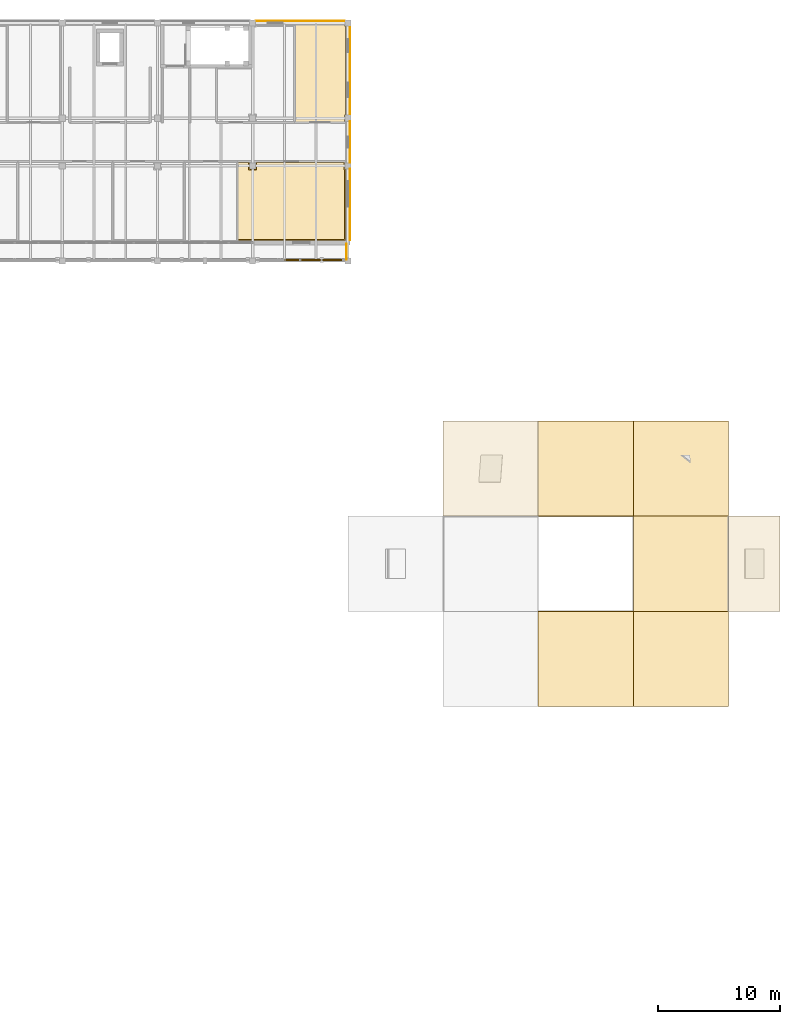
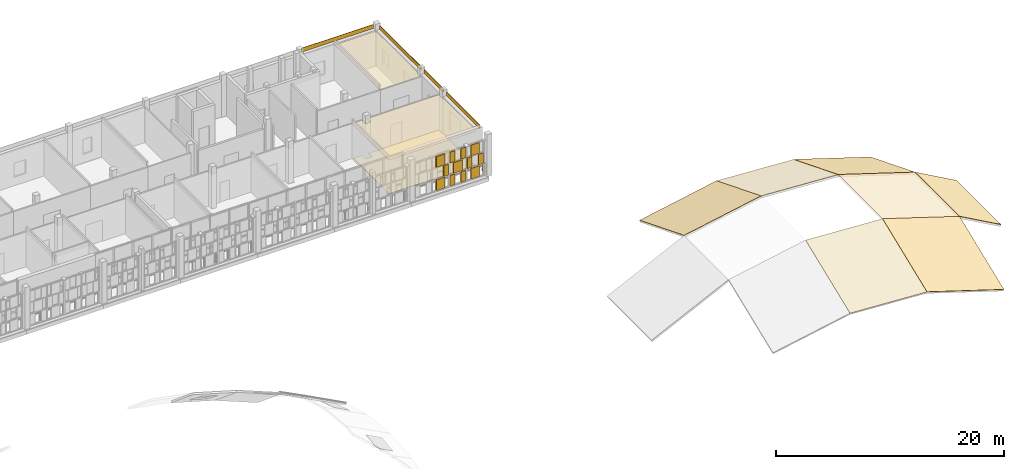
# One storey, part 89 of 89: 26 coverings, 1 railing.
"""IFC4 building model written with IfcOpenShell, lengths in metres."""

from ifc_helpers import new_model, si_unit, direction, frame, origin, origin_2d, place, context, subcontext, project, spatial, polyline, rectangle, circle, outline, extrude, material, layer, layer_set, type_object, element, save


model = new_model("IFC4")

# Units and contexts
model_context = context("Model", 3, precision=1e-05, world=origin(), true_north=direction((0.0, 1.0)))
body_context = subcontext(model_context, "Body", "Model", "MODEL_VIEW")
ifc_project = project(units=[si_unit("LENGTHUNIT", "METRE"), si_unit("AREAUNIT", "SQUARE_METRE"), si_unit("VOLUMEUNIT", "CUBIC_METRE"), si_unit("PLANEANGLEUNIT", "RADIAN"), si_unit("MASSUNIT", "GRAM", prefix="KILO")], contexts=[model_context])

# Site, building, storey
site_placement = place(None, origin())
site = spatial("IfcSite", under=ifc_project, at=site_placement, CompositionType="ELEMENT")
building_placement = place(site_placement, origin())
building = spatial("IfcBuilding", under=site, at=building_placement, Name="Celorna Specialist Clinic", CompositionType="ELEMENT")
storey_placement = place(building_placement, frame((0.0, 0.0, 14.10009765625)))
storey = spatial("IfcBuildingStorey", under=building, at=storey_placement, Name="L03", CompositionType="ELEMENT", Elevation=14.10009765625)

# Railing
ifc_material_1 = material(Name="Stainless steel and laminated glass balustrade", Category="steel")
railing_type = type_object("IfcRailingType", Name="BL-01", PredefinedType="BALUSTRADE", material=ifc_material_1)
railing_placement = place(storey_placement, frame((132.47998046875, 97.8798828125, 0.0)))
element("IfcRailing", 1, at=railing_placement, inside=storey, type_object=railing_type, Name="Neurology L03 Cloister Veranda perimeter balustrade 3", PredefinedType="BALUSTRADE", context=body_context, shape_type="SweptSolid", body=[
    extrude(circle(Radius=0.02392578125, at=origin_2d()), frame((0.0, 0.0, 1.09619140625), z_axis=(0.0, -1.0, 0.0), x_axis=(1.0, 0.0, 0.0)), (0.0, 0.0, 1.0), 1.259765625),
    extrude(circle(Radius=0.02099609375, at=origin_2d()), origin(), (0.0, 0.0, 1.0), 1.072021484375),
    extrude(circle(Radius=0.02099609375, at=origin_2d()), frame((0.0, -0.6298828125, 0.0)), (0.0, 0.0, 1.0), 1.072021484375),
    extrude(circle(Radius=0.02099609375, at=origin_2d()), frame((0.0, -1.259765625, 0.0)), (0.0, 0.0, 1.0), 1.072021484375),
])

# Coverings
ifc_material_2 = material(Name="Hygienic acoustic mineral-fibre ceiling")
ifc_layer_1 = layer(ifc_material_2, 0.030029296875, Name="Hygienic acoustic mineral-fibre ceiling")
ifc_layer_set_1 = layer_set([ifc_layer_1], Name="Hygienic acoustic mineral-fibre ceiling")
covering_type_1 = type_object("IfcCoveringType", Name="CE-01", PredefinedType="CEILING", material=ifc_layer_set_1)
covering_1_placement = place(storey_placement, frame((0.0, 0.0, 3.68994140625)))
element("IfcCovering", 2, at=covering_1_placement, inside=storey, type_object=covering_type_1, Name="Acoustic ceiling L03-026", PredefinedType="CEILING", context=body_context, shape_type="SweptSolid", body=[
    extrude(outline(polyline([(124.554931640625, 104.6650390625), (124.554931640625, 104.554931640625), (124.544921875, 104.554931640625), (124.544921875, 104.044921875), (125.054931640625, 104.044921875), (125.054931640625, 104.554931640625), (125.044921875, 104.554931640625), (125.044921875, 104.6650390625), (132.35498046875, 104.6650390625), (132.35498046875, 104.554931640625), (132.344970703125, 104.554931640625), (132.344970703125, 104.044921875), (132.425048828125, 104.044921875), (132.425048828125, 98.175048828125), (123.52490234375, 98.175048828125), (123.52490234375, 104.6650390625), (124.554931640625, 104.6650390625)])), origin(), (0.0, 0.0, 1.0), 0.030029296875),
])
covering_2_placement = place(storey_placement, frame((0.0, 0.0, 3.68994140625)))
element("IfcCovering", 3, at=covering_2_placement, inside=storey, type_object=covering_type_1, Name="Acoustic ceiling L03-037", PredefinedType="CEILING", context=body_context, shape_type="SweptSolid", body=[
    extrude(outline(polyline([(132.344970703125, 115.824951171875), (132.344970703125, 115.7451171875), (132.425048828125, 115.7451171875), (132.425048828125, 108.455078125), (132.344970703125, 108.455078125), (132.344970703125, 107.945068359375), (132.35498046875, 107.945068359375), (132.35498046875, 107.8349609375), (128.22509765625, 107.8349609375), (128.22509765625, 115.824951171875), (132.344970703125, 115.824951171875)])), origin(), (0.0, 0.0, 1.0), 0.030029296875),
])
ifc_material_3 = material(Name="Pero Pinheiro Lioz limestone rainscreen cladding", Category="masonry")
ifc_layer_2 = layer(ifc_material_3, 0.044921875, Name="Pero Pinheiro Lioz limestone rainscreen cladding")
ifc_layer_set_2 = layer_set([ifc_layer_2], Name="Pero Pinheiro Lioz limestone rainscreen cladding")
covering_type_2 = type_object("IfcCoveringType", Name="CL-01", PredefinedType="CLADDING", material=ifc_layer_set_2)
covering_3_placement = place(storey_placement, frame((128.699951171875, 116.16748046875, 3.83984375), z_axis=(0.0, 0.0, 1.0), x_axis=(1.0, 0.0, 0.0)))
element("IfcCovering", 4, at=covering_3_placement, inside=storey, type_object=covering_type_2, Name="Lioz spandrel cladding #267", PredefinedType="CLADDING", context=body_context, shape_type="SweptSolid", body=[
    extrude(rectangle(XDim=7.300048828125, YDim=0.044921875, at=origin_2d()), origin(), (0.0, 0.0, 1.0), 0.419921875),
])
covering_4_placement = place(storey_placement, frame((132.767578125, 101.1201171875, 3.83984375), z_axis=(0.0, 0.0, 1.0), x_axis=(0.0, -1.0, 0.0)))
element("IfcCovering", 5, at=covering_4_placement, inside=storey, type_object=covering_type_2, Name="Lioz spandrel cladding #271", PredefinedType="CLADDING", context=body_context, shape_type="SweptSolid", body=[
    extrude(rectangle(XDim=5.860107421875, YDim=0.044921875, at=origin_2d()), origin(), (0.0, 0.0, 1.0), 0.419921875),
])
covering_5_placement = place(storey_placement, frame((132.767578125, 106.25, 3.83984375), z_axis=(0.0, 0.0, 1.0), x_axis=(0.0, -1.0, 0.0)))
element("IfcCovering", 6, at=covering_5_placement, inside=storey, type_object=covering_type_2, Name="Lioz spandrel cladding #272", PredefinedType="CLADDING", context=body_context, shape_type="SweptSolid", body=[
    extrude(rectangle(XDim=3.39990234375, YDim=0.044921875, at=origin_2d()), origin(), (0.0, 0.0, 1.0), 0.419921875),
])
covering_6_placement = place(storey_placement, frame((132.767578125, 112.10009765625, 3.83984375), z_axis=(0.0, 0.0, 1.0), x_axis=(0.0, -1.0, 0.0)))
element("IfcCovering", 7, at=covering_6_placement, inside=storey, type_object=covering_type_2, Name="Lioz spandrel cladding #273", PredefinedType="CLADDING", context=body_context, shape_type="SweptSolid", body=[
    extrude(rectangle(XDim=7.300048828125, YDim=0.044921875, at=origin_2d()), origin(), (0.0, 0.0, 1.0), 0.419921875),
])
ifc_material_4 = material(Name="Perforated terracotta brick weave cladding", Category="masonry")
ifc_layer_3 = layer(ifc_material_4, 0.114990234375, Name="Perforated terracotta brick weave cladding")
ifc_layer_set_3 = layer_set([ifc_layer_3], Name="Perforated terracotta brick weave cladding")
covering_type_3 = type_object("IfcCoveringType", Name="CL-02", PredefinedType="CLADDING", material=ifc_layer_set_3)
covering_7_placement = place(storey_placement, frame((127.822509765625, 96.570068359375, 0.10009765625), z_axis=(0.0, 0.0, 1.0), x_axis=(1.0, 0.0, 0.0)))
element("IfcCovering", 8, at=covering_7_placement, inside=storey, type_object=covering_type_3, Name="Woven perforated terracotta brick course #1243", PredefinedType="CLADDING", context=body_context, shape_type="SweptSolid", body=[
    extrude(rectangle(XDim=0.8828125, YDim=0.114990234375, at=origin_2d()), origin(), (0.0, 0.0, 1.0), 1.146728515625),
])
covering_8_placement = place(storey_placement, frame((128.390625, 96.570068359375, 1.3466796875), z_axis=(0.0, 0.0, 1.0), x_axis=(1.0, 0.0, 0.0)))
element("IfcCovering", 9, at=covering_8_placement, inside=storey, type_object=covering_type_3, Name="Woven perforated terracotta brick course #1245", PredefinedType="CLADDING", context=body_context, shape_type="SweptSolid", body=[
    extrude(rectangle(XDim=0.498779296875, YDim=0.114990234375, at=origin_2d()), origin(), (0.0, 0.0, 1.0), 1.146484375),
])
covering_9_placement = place(storey_placement, frame((127.822509765625, 96.570068359375, 2.59326171875), z_axis=(0.0, 0.0, 1.0), x_axis=(1.0, 0.0, 0.0)))
element("IfcCovering", 10, at=covering_9_placement, inside=storey, type_object=covering_type_3, Name="Woven perforated terracotta brick course #1246", PredefinedType="CLADDING", context=body_context, shape_type="SweptSolid", body=[
    extrude(rectangle(XDim=0.8828125, YDim=0.114990234375, at=origin_2d()), origin(), (0.0, 0.0, 1.0), 1.146728515625),
])
for number, where, z_axis, x_axis, name in (
    (11, (129.009521484375, 96.570068359375, 0.10009765625), (0.0, 0.0, 1.0), (1.0, 0.0, 0.0), "Woven perforated terracotta brick course #1247"),
    (12, (130.145751953125, 96.570068359375, 0.10009765625), (0.0, 0.0, 1.0), (1.0, 0.0, 0.0), "Woven perforated terracotta brick course #1248"),
):
    element("IfcCovering", number, at=place(storey_placement, frame(where, z_axis=z_axis, x_axis=x_axis)), inside=storey, type_object=covering_type_3, Name=name, PredefinedType="CLADDING", context=body_context, shape_type="SweptSolid", body=[
        extrude(rectangle(XDim=0.498779296875, YDim=0.114990234375, at=origin_2d()), origin(), (0.0, 0.0, 1.0), 1.146728515625),
    ])
covering_10_placement = place(storey_placement, frame((129.577392578125, 96.570068359375, 1.3466796875), z_axis=(0.0, 0.0, 1.0), x_axis=(1.0, 0.0, 0.0)))
element("IfcCovering", 13, at=covering_10_placement, inside=storey, type_object=covering_type_3, Name="Woven perforated terracotta brick course #1249", PredefinedType="CLADDING", context=body_context, shape_type="SweptSolid", body=[
    extrude(rectangle(XDim=0.8828125, YDim=0.114990234375, at=origin_2d()), origin(), (0.0, 0.0, 1.0), 1.146484375),
])
for number, where, z_axis, x_axis, name in (
    (14, (129.009521484375, 96.570068359375, 2.59326171875), (0.0, 0.0, 1.0), (1.0, 0.0, 0.0), "Woven perforated terracotta brick course #1250"),
    (15, (130.145751953125, 96.570068359375, 2.59326171875), (0.0, 0.0, 1.0), (1.0, 0.0, 0.0), "Woven perforated terracotta brick course #1251"),
):
    element("IfcCovering", number, at=place(storey_placement, frame(where, z_axis=z_axis, x_axis=x_axis)), inside=storey, type_object=covering_type_3, Name=name, PredefinedType="CLADDING", context=body_context, shape_type="SweptSolid", body=[
        extrude(rectangle(XDim=0.498779296875, YDim=0.114990234375, at=origin_2d()), origin(), (0.0, 0.0, 1.0), 1.146728515625),
    ])
covering_11_placement = place(storey_placement, frame((131.33251953125, 96.570068359375, 0.10009765625), z_axis=(0.0, 0.0, 1.0), x_axis=(1.0, 0.0, 0.0)))
element("IfcCovering", 16, at=covering_11_placement, inside=storey, type_object=covering_type_3, Name="Woven perforated terracotta brick course #1252", PredefinedType="CLADDING", context=body_context, shape_type="SweptSolid", body=[
    extrude(rectangle(XDim=0.8828125, YDim=0.114990234375, at=origin_2d()), origin(), (0.0, 0.0, 1.0), 1.146728515625),
])
for number, where, z_axis, x_axis, name in (
    (17, (130.764404296875, 96.570068359375, 1.3466796875), (0.0, 0.0, 1.0), (1.0, 0.0, 0.0), "Woven perforated terracotta brick course #1253"),
    (18, (131.900634765625, 96.570068359375, 1.3466796875), (0.0, 0.0, 1.0), (1.0, 0.0, 0.0), "Woven perforated terracotta brick course #1254"),
):
    element("IfcCovering", number, at=place(storey_placement, frame(where, z_axis=z_axis, x_axis=x_axis)), inside=storey, type_object=covering_type_3, Name=name, PredefinedType="CLADDING", context=body_context, shape_type="SweptSolid", body=[
        extrude(rectangle(XDim=0.498779296875, YDim=0.114990234375, at=origin_2d()), origin(), (0.0, 0.0, 1.0), 1.146484375),
    ])
covering_12_placement = place(storey_placement, frame((131.33251953125, 96.570068359375, 2.59326171875), z_axis=(0.0, 0.0, 1.0), x_axis=(1.0, 0.0, 0.0)))
element("IfcCovering", 19, at=covering_12_placement, inside=storey, type_object=covering_type_3, Name="Woven perforated terracotta brick course #1255", PredefinedType="CLADDING", context=body_context, shape_type="SweptSolid", body=[
    extrude(rectangle(XDim=0.8828125, YDim=0.114990234375, at=origin_2d()), origin(), (0.0, 0.0, 1.0), 1.146728515625),
])
ifc_material_5 = material(Name="Seamless antimicrobial clinical vinyl and Lioz terrazzo flooring")
ifc_layer_4 = layer(ifc_material_5, 0.02001953125, Name="Seamless antimicrobial clinical vinyl and Lioz terrazzo flooring")
ifc_layer_set_4 = layer_set([ifc_layer_4], Name="Seamless antimicrobial clinical vinyl and Lioz terrazzo flooring")
covering_type_4 = type_object("IfcCoveringType", Name="FL-01", PredefinedType="FLOORING", material=ifc_layer_set_4)
covering_13_placement = place(storey_placement, origin())
element("IfcCovering", 20, at=covering_13_placement, inside=storey, type_object=covering_type_4, Name="Antimicrobial clinical flooring L03-026", PredefinedType="FLOORING", context=body_context, shape_type="SweptSolid", body=[
    extrude(outline(polyline([(123.614990234375, 104.574951171875), (124.465087890625, 104.574951171875), (124.465087890625, 103.965087890625), (125.135009765625, 103.965087890625), (125.135009765625, 104.574951171875), (132.264892578125, 104.574951171875), (132.264892578125, 103.965087890625), (132.3349609375, 103.965087890625), (132.3349609375, 98.264892578125), (123.614990234375, 98.264892578125), (123.614990234375, 104.574951171875)])), origin(), (0.0, 0.0, 1.0), 0.02001953125),
])
ifc_material_6 = material(Name="Standing-seam zinc and EPDM acoustic roofing membrane")
ifc_layer_5 = layer(ifc_material_6, 0.0400390625, Name="Standing-seam zinc and EPDM acoustic roofing membrane")
ifc_layer_set_5 = layer_set([ifc_layer_5], Name="Standing-seam zinc and EPDM acoustic roofing membrane")
covering_type_5 = type_object("IfcCoveringType", Name="RFG-01", PredefinedType="ROOFING", material=ifc_layer_set_5)
covering_14_placement = place(storey_placement, frame((140.39990234375, 75.60009765625, 3.444091796875), z_axis=(-0.175893836486, 0.364151286739, 0.914579246786), x_axis=(0.982003438104, -5.118325e-06, 0.188863039066)))
element("IfcCovering", 21, at=covering_14_placement, inside=storey, type_object=covering_type_5, Name="GSH-V3 gridshell standing-seam roofing 2-3", PredefinedType="ROOFING", context=body_context, shape_type="SweptSolid", body=[
    extrude(outline(polyline([(0.0, 0.0), (7.943015434339133, 1.1102230246251565e-16), (7.356421137415524, 8.374861959488873), (-0.5865481877832116, 8.374774655554477), (0.0, 0.0)])), origin(), (0.0, 0.0, -1.0), 0.0400390625),
])
covering_15_placement = place(storey_placement, frame((148.199951171875, 60.0, 1.838623046875), z_axis=(0.052633942957, -0.369395901454, 0.927780327469), x_axis=(0.998394789019, 5.354915e-06, -0.056637842746)))
element("IfcCovering", 22, at=covering_15_placement, inside=storey, type_object=covering_type_5, Name="GSH-V3 gridshell standing-seam roofing 3-1", PredefinedType="ROOFING", context=body_context, shape_type="SweptSolid", body=[
    extrude(outline(polyline([(0.0, 0.0), (7.812583712262099, -2.7755575615628914e-17), (7.636738430147162, 8.393674779397408), (-0.17585910971326396, 8.393764819247249), (0.0, 0.0)])), origin(), (0.0, 0.0, -1.0), 0.0400390625),
])
covering_16_placement = place(storey_placement, frame((148.199951171875, 75.60009765625, 4.9443359375), z_axis=(0.05263371815, 0.369405886072, 0.927776364783), x_axis=(0.998394547881, 5.355028e-06, -0.056642093299)))
element("IfcCovering", 23, at=covering_16_placement, inside=storey, type_object=covering_type_5, Name="GSH-V3 gridshell standing-seam roofing 3-3", PredefinedType="ROOFING", context=body_context, shape_type="SweptSolid", body=[
    extrude(outline(polyline([(0.0, 0.0), (7.8125975403792856, 0.0), (7.9885395592225, 8.393445878395383), (0.17595584747927326, 8.393535920519591), (0.0, 0.0)])), origin(), (0.0, 0.0, -1.0), 0.0400390625),
])
covering_17_placement = place(storey_placement, frame((156.0, 60.0, 1.396240234375), z_axis=(0.282662222994, -0.354823585888, 0.891180279511), x_axis=(0.953201474653, -4.717086e-06, -0.302335821061)))
element("IfcCovering", 24, at=covering_17_placement, inside=storey, type_object=covering_type_5, Name="GSH-V3 gridshell standing-seam roofing 4-1", PredefinedType="ROOFING", context=body_context, shape_type="SweptSolid", body=[
    extrude(outline(polyline([(0.0, 0.0), (8.183033477619308, 1.1102230246251565e-16), (7.244028427351868, 8.342930167744795), (-0.9389312378111262, 8.342847595227227), (0.0, 0.0)])), origin(), (0.0, 0.0, -1.0), 0.0400390625),
])
covering_18_placement = place(storey_placement, frame((156.0, 67.800048828125, 4.501708984375), z_axis=(0.302320560532, 0.0, 0.953206314855), x_axis=(0.953206314855, 0.0, -0.302320560532)))
element("IfcCovering", 25, at=covering_18_placement, inside=storey, type_object=covering_type_5, Name="GSH-V3 gridshell standing-seam roofing 4-2", PredefinedType="ROOFING", context=body_context, shape_type="SweptSolid", body=[
    extrude(outline(polyline([(0.0, 0.0), (8.182959666302727, 0.0), (8.182959666302727, 7.800048828125), (0.0, 7.800048828125), (0.0, 0.0)])), origin(), (0.0, 0.0, -1.0), 0.0400390625),
])
covering_19_placement = place(storey_placement, frame((156.0, 75.60009765625, 4.501708984375), z_axis=(0.282661109076, 0.354833293836, 0.891176767539), x_axis=(0.953202557175, -4.717239e-06, -0.302332408076)))
element("IfcCovering", 26, at=covering_19_placement, inside=storey, type_object=covering_type_5, Name="GSH-V3 gridshell standing-seam roofing 4-3", PredefinedType="ROOFING", context=body_context, shape_type="SweptSolid", body=[
    extrude(outline(polyline([(0.0, 0.0), (8.182959665579611, -1.1102230246251565e-16), (9.121880529053113, 8.342711389137287), (0.9388470518504375, 8.342628813615697), (0.0, 0.0)])), origin(), (0.0, 0.0, -1.0), 0.0400390625),
])
covering_20_placement = place(storey_placement, frame((163.800048828125, 67.800048828125, 2.02783203125), z_axis=(0.488654331784, 0.0, 0.872477474798), x_axis=(0.872477474798, 0.0, -0.488654331784)))
element("IfcCovering", 27, at=covering_20_placement, inside=storey, type_object=covering_type_5, Name="GSH-V3 gridshell standing-seam roofing 5-2", PredefinedType="ROOFING", context=body_context, shape_type="SweptSolid", body=[
    extrude(outline(polyline([(0.0, 0.0), (4.813821895917329, 0.0), (4.813821895917329, 7.800048828125), (0.0, 7.800048828125), (0.0, 0.0)])), origin(), (0.0, 0.0, -1.0), 0.0400390625),
])

save(model, "model.ifc")
